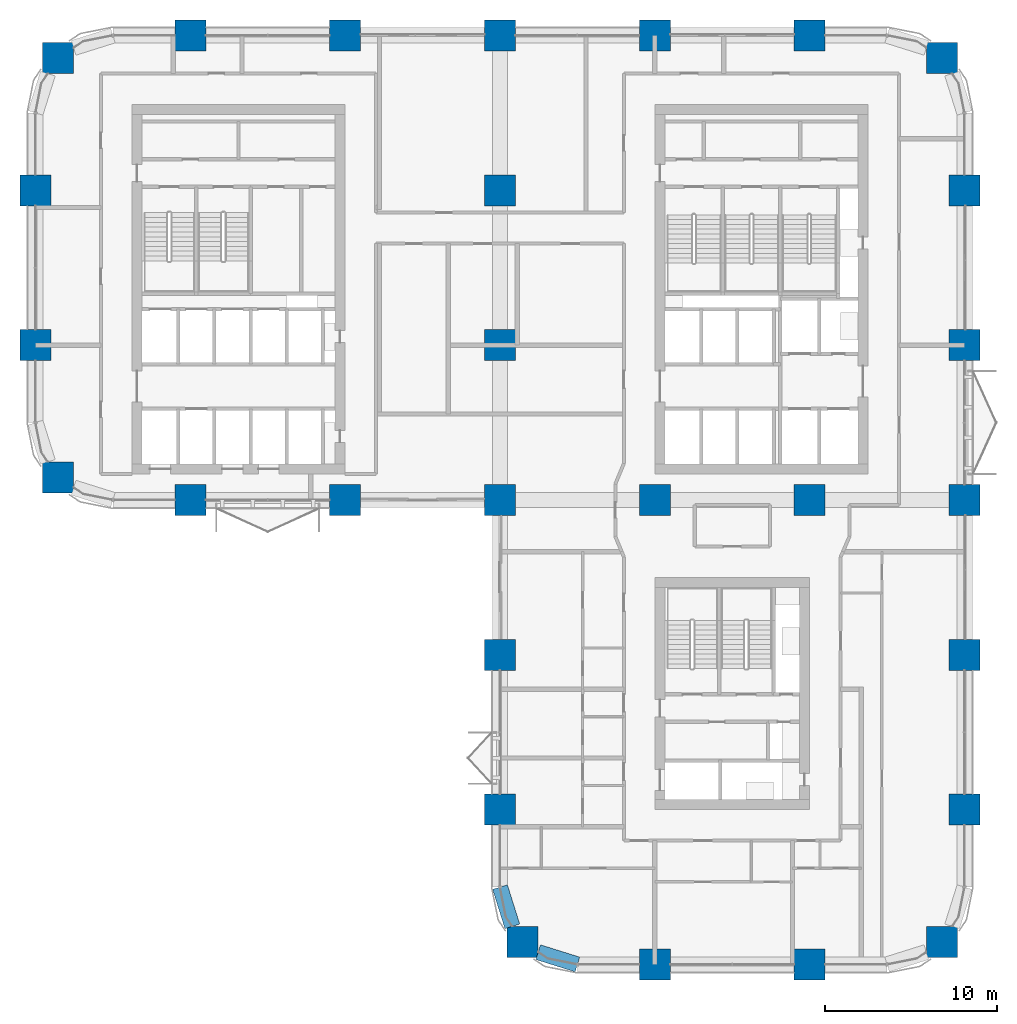
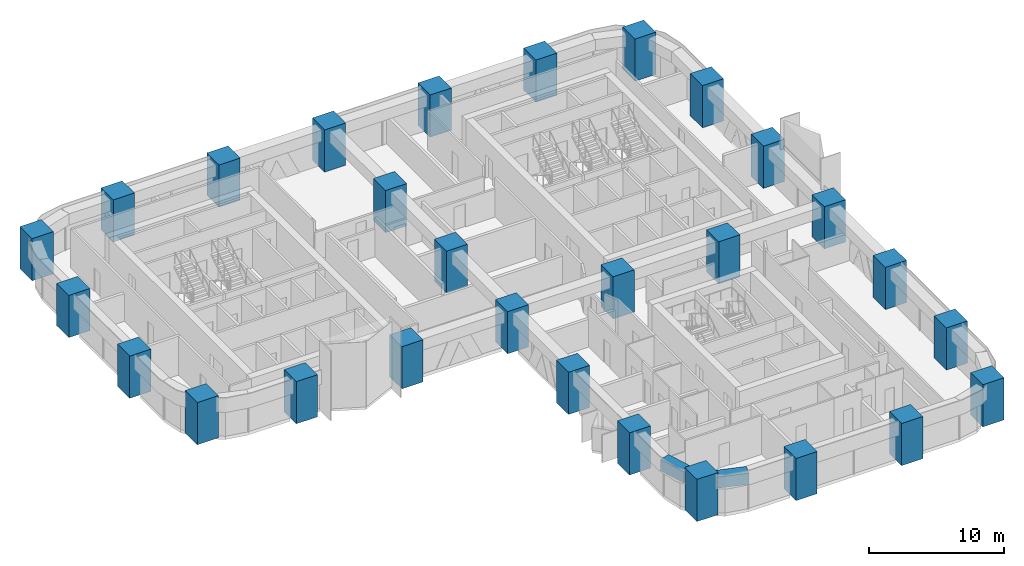
# One storey, part 1 of 24: 28 columns, 2 beams.
"""IFC4 building model written with IfcOpenShell, lengths in metres."""

from ifc_helpers import new_model, si_unit, direction, frame, origin, origin_2d, place, context, subcontext, project, spatial, rectangle, extrude, material, material_profile, profile_set, type_object, element, save


model = new_model("IFC4")

# Units and contexts
model_context = context("Model", 3, precision=1e-05, world=origin(), true_north=direction((0.0, 1.0)))
body_context = subcontext(model_context, "Body", "Model", "MODEL_VIEW")
ifc_project = project(units=[si_unit("LENGTHUNIT", "METRE"), si_unit("AREAUNIT", "SQUARE_METRE"), si_unit("VOLUMEUNIT", "CUBIC_METRE"), si_unit("PLANEANGLEUNIT", "RADIAN"), si_unit("MASSUNIT", "GRAM", prefix="KILO")], contexts=[model_context])

# Site, building, storey
site_placement = place(None, origin())
site = spatial("IfcSite", under=ifc_project, at=site_placement, CompositionType="ELEMENT")
building_placement = place(site_placement, origin())
building = spatial("IfcBuilding", under=site, at=building_placement, Name="Tessera Arch", CompositionType="ELEMENT")
storey_placement = place(building_placement, frame((0.0, 0.0, 81.60009765625)))
storey = spatial("IfcBuildingStorey", under=building, at=storey_placement, Name="L18", CompositionType="ELEMENT", Elevation=81.60009765625)

# Columns
ifc_material_1 = material(Name="Concrete C80/95", Category="concrete")
ifc_material_profile_1 = material_profile(ifc_material_1, rectangle(XDim=1.800048828125, YDim=1.800048828125, at=origin_2d()), Name="RC column 1800 x 1800 Concrete C80/95")
ifc_profile_set_1 = profile_set([ifc_material_profile_1], Name="Concrete C80/95")
column_type = type_object("IfcColumnType", Name="RC column 1800 x 1800 Concrete C80/95", PredefinedType="COLUMN", material=ifc_profile_set_1)
for number, where, z_axis, x_axis, name in (
    (1, (1.318115234375, 28.318115234375, 0.0), (0.0, 0.0, 1.0), (1.0, 0.0, 0.0), "Column C1D L18"),
    (2, (0.0, 36.0, 0.0), (0.0, 0.0, 1.0), (1.0, 0.0, 0.0), "Column C1E L18"),
    (3, (0.0, 45.0, 0.0), (0.0, 0.0, 1.0), (1.0, 0.0, 0.0), "Column C1F L18"),
    (4, (1.318115234375, 52.681884765625, 0.0), (0.0, 0.0, 1.0), (1.0, 0.0, 0.0), "Column C1G L18"),
    (5, (9.0, 27.0, 0.0), (0.0, 0.0, 1.0), (1.0, 0.0, 0.0), "Column C2D L18"),
    (6, (9.0, 54.0, 0.0), (0.0, 0.0, 1.0), (1.0, 0.0, 0.0), "Column C2G L18"),
    (7, (18.0, 27.0, 0.0), (0.0, 0.0, 1.0), (1.0, 0.0, 0.0), "Column C3D L18"),
    (8, (18.0, 54.0, 0.0), (0.0, 0.0, 1.0), (1.0, 0.0, 0.0), "Column C3G L18"),
    (9, (28.318115234375, 1.318115234375, 0.0), (0.0, 0.0, 1.0), (1.0, 0.0, 0.0), "Column C4A L18"),
    (10, (27.0, 9.0, 0.0), (0.0, 0.0, 1.0), (1.0, 0.0, 0.0), "Column C4B L18"),
    (11, (27.0, 18.0, 0.0), (0.0, 0.0, 1.0), (1.0, 0.0, 0.0), "Column C4C L18"),
    (12, (27.0, 27.0, 0.0), (0.0, 0.0, 1.0), (1.0, 0.0, 0.0), "Column C4D L18"),
    (13, (27.0, 36.0, 0.0), (0.0, 0.0, 1.0), (1.0, 0.0, 0.0), "Column C4E L18"),
    (14, (27.0, 45.0, 0.0), (0.0, 0.0, 1.0), (1.0, 0.0, 0.0), "Column C4F L18"),
    (15, (27.0, 54.0, 0.0), (0.0, 0.0, 1.0), (1.0, 0.0, 0.0), "Column C4G L18"),
    (16, (36.0, 0.0, 0.0), (0.0, 0.0, 1.0), (1.0, 0.0, 0.0), "Column C5A L18"),
    (17, (36.0, 27.0, 0.0), (0.0, 0.0, 1.0), (1.0, 0.0, 0.0), "Column C5D L18"),
    (18, (36.0, 54.0, 0.0), (0.0, 0.0, 1.0), (1.0, 0.0, 0.0), "Column C5G L18"),
    (19, (45.0, 0.0, 0.0), (0.0, 0.0, 1.0), (1.0, 0.0, 0.0), "Column C6A L18"),
    (20, (45.0, 27.0, 0.0), (0.0, 0.0, 1.0), (1.0, 0.0, 0.0), "Column C6D L18"),
    (21, (45.0, 54.0, 0.0), (0.0, 0.0, 1.0), (1.0, 0.0, 0.0), "Column C6G L18"),
    (22, (52.681884765625, 1.318115234375, 0.0), (0.0, 0.0, 1.0), (1.0, 0.0, 0.0), "Column C7A L18"),
    (23, (54.0, 9.0, 0.0), (0.0, 0.0, 1.0), (1.0, 0.0, 0.0), "Column C7B L18"),
    (24, (54.0, 18.0, 0.0), (0.0, 0.0, 1.0), (1.0, 0.0, 0.0), "Column C7C L18"),
    (25, (54.0, 27.0, 0.0), (0.0, 0.0, 1.0), (1.0, 0.0, 0.0), "Column C7D L18"),
    (26, (54.0, 36.0, 0.0), (0.0, 0.0, 1.0), (1.0, 0.0, 0.0), "Column C7E L18"),
    (27, (54.0, 45.0, 0.0), (0.0, 0.0, 1.0), (1.0, 0.0, 0.0), "Column C7F L18"),
    (28, (52.681884765625, 52.681884765625, 0.0), (0.0, 0.0, 1.0), (1.0, 0.0, 0.0), "Column C7G L18"),
):
    element("IfcColumn", number, at=place(storey_placement, frame(where, z_axis=z_axis, x_axis=x_axis)), inside=storey, type_object=column_type, Name=name, PredefinedType="COLUMN", context=body_context, shape_type="SweptSolid", body=[
        extrude(rectangle(XDim=1.800048828125, YDim=1.800048828125, at=origin_2d()), origin(), (0.0, 0.0, 1.0), 3.7998046875),
    ])

# Beams
ifc_material_2 = material(Name="Concrete C80/95", Category="concrete")
ifc_material_profile_2 = material_profile(ifc_material_2, rectangle(XDim=0.89990234375, YDim=1.0, at=origin_2d()), Name="RC spandrel beam 900 x 1000 Concrete C80/95")
ifc_profile_set_2 = profile_set([ifc_material_profile_2], Name="Concrete C80/95")
beam_type = type_object("IfcBeamType", Name="RC spandrel beam 900 x 1000 Concrete C80/95", PredefinedType="BEAM", material=ifc_profile_set_2)
for number, where, z_axis, x_axis, name in (
    (29, (27.0, 4.5, 3.0), (0.299675309057, -0.954041251279, 0.0), (0.954041251279, 0.299675309057, 0.0), "Spandrel beam L18 W27.0/2.2"),
    (30, (29.218017578125, 0.716796875, 3.0), (0.954041251279, -0.299675309057, 0.0), (0.299675309057, 0.954041251279, 0.0), "Spandrel beam L18 S0.27/0.1"),
):
    element("IfcBeam", number, at=place(storey_placement, frame(where, z_axis=z_axis, x_axis=x_axis)), inside=storey, type_object=beam_type, Name=name, PredefinedType="BEAM", context=body_context, shape_type="SweptSolid", body=[
        extrude(rectangle(XDim=0.89990234375, YDim=1.0, at=origin_2d()), origin(), (0.0, 0.0, 1.0), 2.391845703125),
    ])

save(model, "model.ifc")
